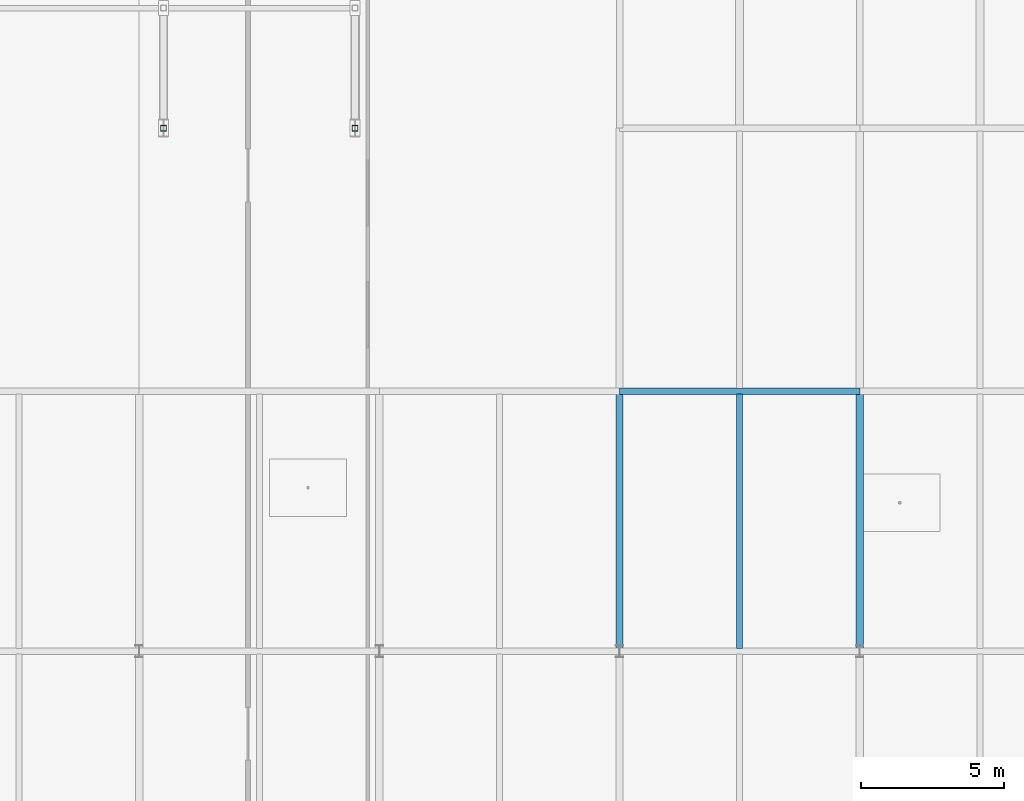
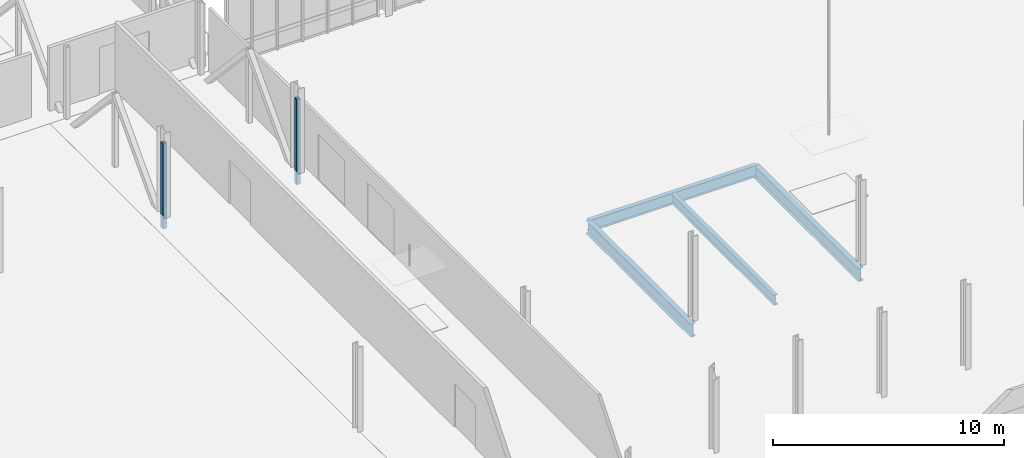
# One storey, part 64 of 139: 4 beams, 2 members.
"""IFC4 building model written with IfcOpenShell, lengths in metres."""

import ifcopenshell
import ifcopenshell.guid

model = None  # the IFC model being written
_history = None  # IfcOwnerHistory: only IFC2X3 demands one
_inside = {}  # id of a spatial element -> (the spatial element, [elements in it])
_under = {}  # id of a project, library or spatial element -> (it, [spatial elements below it])
_declared = {}  # id of a project -> (the project, [libraries it declares])
_typed = {}  # id of a type object -> (the type object, [elements of that type])
_made_of = {}  # id of a material, layer set ... -> (it, [elements and type objects made of it])


def new_model(schema):
    """Start an empty IFC model of exactly this schema.

    Asked for "IFC4X3", IfcOpenShell would pick the latest addendum, in which some entities
    have other attributes; the version numbers below select the first issue.
    IFC2X3 requires an IfcOwnerHistory on every rooted entity: one is made here for all.
    """
    global model, _history
    if schema == "IFC4X3":
        model = ifcopenshell.file(schema_version=(4, 3, 0, 0))
    else:
        model = ifcopenshell.file(schema=schema)
    _inside.clear()
    _under.clear()
    _declared.clear()
    _typed.clear()
    _made_of.clear()
    _history = None
    if model.schema == "IFC2X3":
        org = make("IfcOrganization", Name="unknown")
        user = make(
            "IfcPersonAndOrganization",
            ThePerson=make("IfcPerson", FamilyName="unknown"),
            TheOrganization=org,
        )
        app = make(
            "IfcApplication",
            ApplicationDeveloper=org,
            Version="unknown",
            ApplicationFullName="unknown",
            ApplicationIdentifier="unknown",
        )
        _history = make(
            "IfcOwnerHistory",
            OwningUser=user,
            OwningApplication=app,
            ChangeAction="ADDED",
            CreationDate=0,
        )
    return model


def make(cls, **values):
    """One entity of the class cls with the attributes given. An attribute that is None is left unset."""
    return model.create_entity(
        cls, **{name: value for name, value in values.items() if value is not None}
    )


def rooted(cls, **values):
    """An entity with a GlobalId (a new one), such as an element, a storey or a relation."""
    return make(cls, GlobalId=ifcopenshell.guid.new(), OwnerHistory=_history, **values)


def si_unit(unit_type, name, prefix=None):
    """IfcSIUnit, for example si_unit("LENGTHUNIT", "METRE", prefix="MILLI")."""
    return make("IfcSIUnit", UnitType=unit_type, Prefix=prefix, Name=name)


def derived_unit(unit_type, elements):
    """IfcDerivedUnit: a product of units, each with its exponent."""
    return make(
        "IfcDerivedUnit",
        Elements=[
            make("IfcDerivedUnitElement", Unit=unit, Exponent=power)
            for unit, power in elements
        ],
        UnitType=unit_type,
    )


def assignment(units):
    """IfcUnitAssignment: the units of a project."""
    return None if units is None else make("IfcUnitAssignment", Units=units)


def point(xyz):
    """IfcCartesianPoint."""
    return None if xyz is None else make("IfcCartesianPoint", Coordinates=xyz)


def direction(xyz):
    """IfcDirection."""
    return None if xyz is None else make("IfcDirection", DirectionRatios=xyz)


def frame(location, z_axis=None, x_axis=None):
    """IfcAxis2Placement3D, a coordinate frame: its origin and axes. An axis left out is left unset."""
    return make(
        "IfcAxis2Placement3D",
        Location=point(location),
        Axis=direction(z_axis),
        RefDirection=direction(x_axis),
    )


def frame_2d(location, x_axis=None):
    """IfcAxis2Placement2D, a coordinate frame in the plane: its origin and x axis."""
    return make(
        "IfcAxis2Placement2D", Location=point(location), RefDirection=direction(x_axis)
    )


def origin():
    """The frame at (0, 0, 0) with its axes left unset."""
    return frame((0.0, 0.0, 0.0))


def origin_2d():
    """The frame at (0, 0) in the plane with its x axis left unset."""
    return frame_2d((0.0, 0.0))


def place(relative_to, where):
    """IfcLocalPlacement: puts the frame where relative to a parent placement (None: the world)."""
    return make(
        "IfcLocalPlacement", PlacementRelTo=relative_to, RelativePlacement=where
    )


def context(
    kind, dimensions, precision=None, world=None, true_north=None, identifier=None
):
    """IfcGeometricRepresentationContext, for example the 3D "Model" context."""
    return make(
        "IfcGeometricRepresentationContext",
        ContextIdentifier=identifier,
        ContextType=kind,
        CoordinateSpaceDimension=dimensions,
        Precision=precision,
        WorldCoordinateSystem=world,
        TrueNorth=true_north,
    )


def subcontext(parent, identifier, kind, view, scale=None):
    """IfcGeometricRepresentationSubContext, for example "Body" below "Model"."""
    return make(
        "IfcGeometricRepresentationSubContext",
        ContextIdentifier=identifier,
        ContextType=kind,
        ParentContext=parent,
        TargetScale=scale,
        TargetView=view,
    )


def project(units=None, contexts=None):
    """IfcProject with its units and contexts."""
    return rooted(
        "IfcProject",
        Name="project",
        RepresentationContexts=contexts,
        UnitsInContext=assignment(units),
    )


def spatial(cls, under=None, at=None, **own):
    """A site, building, storey or space (cls), placed at a placement, below another one or the project."""
    s = rooted(cls, ObjectPlacement=at, **own)
    if under is not None:
        _under.setdefault(under.id(), (under, []))[1].append(s)
    return s


def profile(cls, at=None, kind="AREA", **sizes):
    """A parametric profile (cls). Its sizes go by their IFC names, for example OverallWidth=200.0."""
    return make(cls, ProfileType=kind, Position=at, **sizes)


def hollow_rectangle(**sizes):
    """IfcRectangleHollowProfileDef."""
    return profile("IfcRectangleHollowProfileDef", **sizes)


def i_section(**sizes):
    """IfcIShapeProfileDef."""
    return profile("IfcIShapeProfileDef", **sizes)


def extrude(swept, where, along, depth):
    """IfcExtrudedAreaSolid: the profile swept, set in the frame where, extruded along a direction by depth."""
    return make(
        "IfcExtrudedAreaSolid",
        SweptArea=swept,
        Position=where,
        ExtrudedDirection=direction(along),
        Depth=depth,
    )


def shape(context_of_items, identifier, shape_type, items):
    """IfcShapeRepresentation: the items that make up one representation, for example the "Body"."""
    return make(
        "IfcShapeRepresentation",
        ContextOfItems=context_of_items,
        RepresentationIdentifier=identifier,
        RepresentationType=shape_type,
        Items=items,
    )


def material(Name=None, Category=None):
    """IfcMaterial."""
    return make("IfcMaterial", Name=Name, Category=Category)


def material_profile(
    of_material, cross_section, Name=None, Category=None, Priority=None
):
    """IfcMaterialProfile: a cross section and its material."""
    return make(
        "IfcMaterialProfile",
        Name=Name,
        Material=of_material,
        Profile=cross_section,
        Priority=Priority,
        Category=Category,
    )


def profile_set(profiles, Name=None, composite=None):
    """IfcMaterialProfileSet."""
    return make(
        "IfcMaterialProfileSet",
        Name=Name,
        MaterialProfiles=profiles,
        CompositeProfile=composite,
    )


def made_of(thing, what):
    """Note that an element or type object is made of a material, layer set ...; save() writes the relation."""
    if what is not None:
        _made_of.setdefault(what.id(), (what, []))[1].append(thing)
    return thing


def type_object(cls, material=None, **own):
    """A type object (cls), such as IfcWallType, which elements share."""
    return made_of(rooted(cls, **own), material)


def element(
    cls,
    number,
    at=None,
    inside=None,
    cuts=None,
    type_object=None,
    material=None,
    context=None,
    identifier="Body",
    shape_type=None,
    held_by="IfcProductDefinitionShape",
    body=None,
    shapes=None,
    **own,
):
    """One element of the class cls, such as IfcWall. Its Tag is "e" and its number.

    at: its placement. inside: the storey or other place that contains it. cuts: it is an
    opening in that element (IfcRelVoidsElement). A single representation is given by context,
    identifier, shape_type and body (its items); several are given by shapes. held_by: the class
    of the entity that holds the representations. save() writes the other relations.
    """
    e = rooted(cls, Tag="e%d" % number, ObjectPlacement=at, **own)
    if body is not None:
        shapes = [shape(context, identifier, shape_type, body)]
    if shapes is not None:
        e.Representation = make(held_by, Representations=shapes)
    if inside is not None:
        _inside.setdefault(inside.id(), (inside, []))[1].append(e)
    if cuts is not None:
        rooted(
            "IfcRelVoidsElement", RelatingBuildingElement=cuts, RelatedOpeningElement=e
        )
    if type_object is not None:
        _typed.setdefault(type_object.id(), (type_object, []))[1].append(e)
    return made_of(e, material)


def aggregate(whole, parts):
    """IfcRelAggregates: a whole, such as a stair, and the parts it consists of."""
    return rooted("IfcRelAggregates", RelatingObject=whole, RelatedObjects=parts)


def save(model, path):
    """Write the relations noted so far, then the file.

    IfcRelAggregates (storeys below a building ...), IfcRelContainedInSpatialStructure (elements
    in a storey), IfcRelDefinesByType, IfcRelAssociatesMaterial and IfcRelDeclares: one each for
    every whole, place, type object, material and project.
    """
    for whole, parts in _under.values():
        aggregate(whole, parts)
    for where, things in _inside.values():
        rooted(
            "IfcRelContainedInSpatialStructure",
            RelatedElements=things,
            RelatingStructure=where,
        )
    for kind, things in _typed.values():
        rooted("IfcRelDefinesByType", RelatedObjects=things, RelatingType=kind)
    for what, things in _made_of.values():
        rooted("IfcRelAssociatesMaterial", RelatedObjects=things, RelatingMaterial=what)
    for by, libraries in _declared.values():
        rooted("IfcRelDeclares", RelatingContext=by, RelatedDefinitions=libraries)
    model.write(path)


model = new_model("IFC4")

# Units and contexts
model_context = context("Model", 3, precision=1e-05, world=origin(), true_north=direction((0.0, 1.0)))
body_context = subcontext(model_context, "Body", "Model", "MODEL_VIEW")
ifc_project = project(units=[si_unit("LENGTHUNIT", "METRE"), si_unit("AREAUNIT", "SQUARE_METRE"), si_unit("VOLUMEUNIT", "CUBIC_METRE"), si_unit("PLANEANGLEUNIT", "RADIAN"), si_unit("MASSUNIT", "GRAM", prefix="KILO"), derived_unit("THERMALTRANSMITTANCEUNIT", [(si_unit("MASSUNIT", "GRAM", prefix="KILO"), 1), (si_unit("TIMEUNIT", "SECOND"), -3), (si_unit("THERMODYNAMICTEMPERATUREUNIT", "KELVIN"), -1)])], contexts=[model_context])

# Site, building, storey
site_placement = place(None, origin())
site = spatial("IfcSite", under=ifc_project, at=site_placement, CompositionType="ELEMENT")
building_placement = place(site_placement, origin())
building = spatial("IfcBuilding", under=site, at=building_placement, Name="Makaiwela Harbour Ferry Terminal", CompositionType="ELEMENT")
storey_placement = place(building_placement, frame((0.0, 0.0, 5.10009765625)))
storey = spatial("IfcBuildingStorey", under=building, at=storey_placement, Name="L01", CompositionType="ELEMENT", Elevation=5.10009765625)

# Beams
ifc_material_1 = material(Name="Steel ASTM A992 Grade 50", Category="steel")
ifc_material_profile_1 = material_profile(ifc_material_1, i_section(OverallWidth=0.2099609375, OverallDepth=0.537109375, WebThickness=0.010986328125, FlangeThickness=0.017333984375, at=origin_2d()), Name="W21X68")
ifc_profile_set_1 = profile_set([ifc_material_profile_1], Name="Steel ASTM A992 Grade 50")
beam_type_1 = type_object("IfcBeamType", Name="STR-BM-W21X68", PredefinedType="BEAM", material=ifc_profile_set_1)
beam_1_placement = place(storey_placement, frame((117.60009765625, 76.79638671875, -0.548583984375), z_axis=(0.0, 1.0, 0.0), x_axis=(-1.0, 0.0, 0.0)))
element("IfcBeam", 1, at=beam_1_placement, inside=storey, type_object=beam_type_1, Name="Secondary floor beam 1133", PredefinedType="BEAM", context=body_context, shape_type="SweptSolid", body=[
    extrude(i_section(OverallWidth=0.2099609375, OverallDepth=0.537109375, WebThickness=0.010986328125, FlangeThickness=0.017333984375, at=origin_2d()), origin(), (0.0, 0.0, 1.0), 8.9072265625),
])
ifc_material_profile_2 = material_profile(ifc_material_1, i_section(OverallWidth=0.22900390625, OverallDepth=0.612060546875, WebThickness=0.011962890625, FlangeThickness=0.01953125, at=origin_2d()), Name="W24X84")
ifc_profile_set_2 = profile_set([ifc_material_profile_2], Name="Steel ASTM A992 Grade 50")
beam_type_2 = type_object("IfcBeamType", Name="STR-GRD-W24X84", PredefinedType="USERDEFINED", material=ifc_profile_set_2)
beam_2_placement = place(storey_placement, frame((113.39990234375, 85.800048828125, -0.586181640625), z_axis=(1.0, 0.0, 0.0), x_axis=(0.0, 1.0, 0.0)))
element("IfcBeam", 2, at=beam_2_placement, inside=storey, type_object=beam_type_2, Name="Primary X girder 886", ObjectType="GIRDER", PredefinedType="USERDEFINED", context=body_context, shape_type="SweptSolid", body=[
    extrude(i_section(OverallWidth=0.22900390625, OverallDepth=0.612060546875, WebThickness=0.011962890625, FlangeThickness=0.01953125, at=origin_2d()), origin(), (0.0, 0.0, 1.0), 8.400146484375),
])
ifc_material_profile_3 = material_profile(ifc_material_1, i_section(OverallWidth=0.256103515625, OverallDepth=0.693115234375, WebThickness=0.014404296875, FlangeThickness=0.023681640625, at=origin_2d()), Name="W27X114")
ifc_profile_set_3 = profile_set([ifc_material_profile_3], Name="Steel ASTM A992 Grade 50")
beam_type_3 = type_object("IfcBeamType", Name="STR-GRD-W27X114", PredefinedType="USERDEFINED", material=ifc_profile_set_3)
for number, where, z_axis, x_axis, name in (
    (3, (113.39990234375, 76.699951171875, -0.626708984375), (0.0, 1.0, 0.0), (-1.0, 0.0, 0.0), "Primary Y girder 987"),
    (4, (121.800048828125, 76.699951171875, -0.626708984375), (0.0, 1.0, 0.0), (-1.0, 0.0, 0.0), "Primary Y girder 997"),
):
    element("IfcBeam", number, at=place(storey_placement, frame(where, z_axis=z_axis, x_axis=x_axis)), inside=storey, type_object=beam_type_3, Name=name, ObjectType="GIRDER", PredefinedType="USERDEFINED", context=body_context, shape_type="SweptSolid", body=[
        extrude(i_section(OverallWidth=0.256103515625, OverallDepth=0.693115234375, WebThickness=0.014404296875, FlangeThickness=0.023681640625, at=origin_2d()), origin(), (0.0, 0.0, 1.0), 9.10009765625),
    ])

# Members
ifc_material_2 = material(Name="Steel ASTM A500 Grade C", Category="steel")
ifc_material_profile_4 = material_profile(ifc_material_2, hollow_rectangle(XDim=0.202880859375, YDim=0.202880859375, WallThickness=0.01171875, at=origin_2d()), Name="HSS8X8X1/2")
ifc_profile_set_4 = profile_set([ifc_material_profile_4], Name="Steel ASTM A500 Grade C")
member_type = type_object("IfcMemberType", Name="STR-PST-HSS8", PredefinedType="POST", material=ifc_profile_set_4)
for number, where, z_axis, x_axis, name in (
    (5, (97.449951171875, 95.0, -0.70556640625), (0.0, 0.0, 1.0), (1.0, 0.0, 0.0), "Structural Member PS-01"),
    (6, (104.14990234375, 95.0, -0.70556640625), (0.0, 0.0, 1.0), (1.0, 0.0, 0.0), "Structural Member PS-01"),
):
    element("IfcMember", number, at=place(storey_placement, frame(where, z_axis=z_axis, x_axis=x_axis)), inside=storey, type_object=member_type, Name=name, PredefinedType="POST", context=body_context, shape_type="SweptSolid", body=[
        extrude(hollow_rectangle(XDim=0.202880859375, YDim=0.202880859375, WallThickness=0.01171875, at=origin_2d()), origin(), (0.0, 0.0, 1.0), 4.52001953125),
    ])

save(model, "model.ifc")
